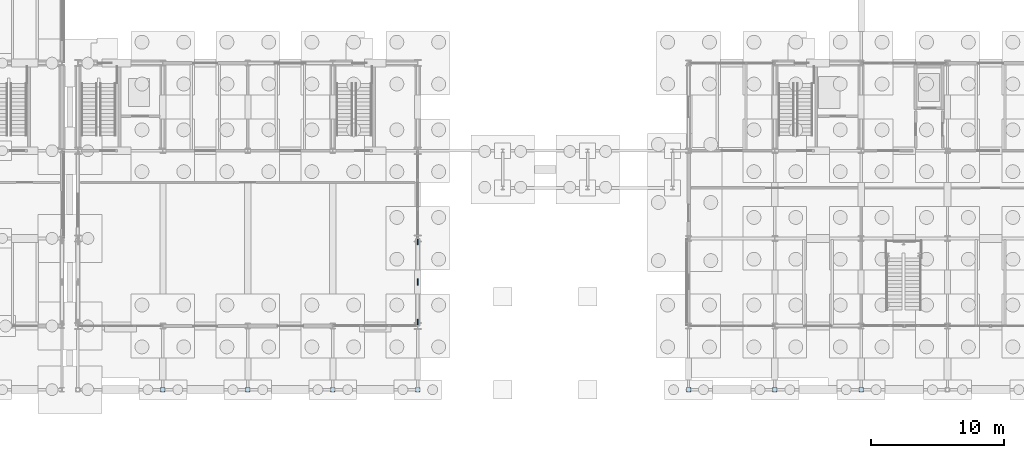
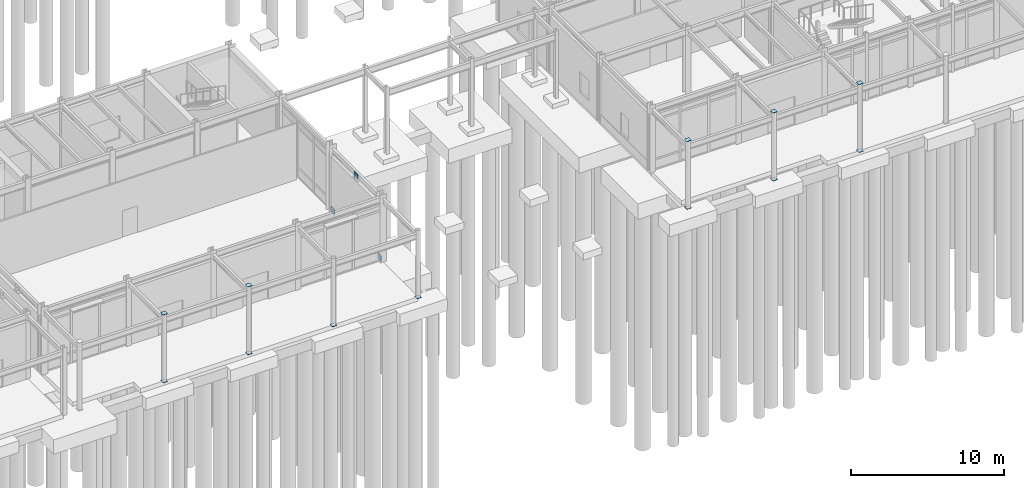
# One storey, part 58 of 82: 15 plates.
"""IFC4 building model written with IfcOpenShell, lengths in metres."""

from ifc_helpers import new_model, si_unit, direction, frame, origin, origin_2d, place, context, subcontext, project, spatial, rectangle, extrude, material, layer, layer_set, type_object, element, save


model = new_model("IFC4")

# Units and contexts
model_context = context("Model", 3, precision=1e-05, world=origin(), true_north=direction((0.0, 1.0)))
body_context = subcontext(model_context, "Body", "Model", "MODEL_VIEW")
ifc_project = project(units=[si_unit("LENGTHUNIT", "METRE"), si_unit("AREAUNIT", "SQUARE_METRE"), si_unit("VOLUMEUNIT", "CUBIC_METRE"), si_unit("PLANEANGLEUNIT", "RADIAN"), si_unit("MASSUNIT", "GRAM", prefix="KILO")], contexts=[model_context])

# Site, building, storey
site_placement = place(None, origin())
site = spatial("IfcSite", under=ifc_project, at=site_placement, CompositionType="ELEMENT")
building_placement = place(site_placement, origin())
building = spatial("IfcBuilding", under=site, at=building_placement, Name="Trelmorton Wharf Fire Station", CompositionType="ELEMENT")
storey_placement = place(building_placement, origin())
storey = spatial("IfcBuildingStorey", under=building, at=storey_placement, Name="L00", CompositionType="ELEMENT", Elevation=0.0)

# Plates
ifc_material = material(Name="Steel Grade 350", Category="steel")
ifc_layer_1 = layer(ifc_material, 0.02001953125)
ifc_layer_set_1 = layer_set([ifc_layer_1], Name="Steel Grade 350")
plate_type_1 = type_object("IfcPlateType", Name="PL_ENDCAP_20", PredefinedType="SHEET", material=ifc_layer_set_1)
for number, where, z_axis, x_axis, name in (
    (1, (64.39990234375, 3.0, -0.02197265625), (0.0, 0.0, 1.0), (1.0, 0.0, 0.0), "PL-COLCAP-B-0103"),
    (2, (64.39990234375, 3.0, 5.39794921875), (0.0, 0.0, 1.0), (1.0, 0.0, 0.0), "PL-COLCAP-T-0103"),
    (3, (70.800048828125, 3.0, -0.02197265625), (0.0, 0.0, 1.0), (1.0, 0.0, 0.0), "PL-COLCAP-B-0107"),
    (4, (70.800048828125, 3.0, 5.39794921875), (0.0, 0.0, 1.0), (1.0, 0.0, 0.0), "PL-COLCAP-T-0107"),
    (5, (77.199951171875, 3.0, -0.02197265625), (0.0, 0.0, 1.0), (1.0, 0.0, 0.0), "PL-COLCAP-B-0116"),
    (6, (83.60009765625, 3.0, -0.02197265625), (0.0, 0.0, 1.0), (1.0, 0.0, 0.0), "PL-COLCAP-B-0125"),
    (7, (104.0, 3.0, -0.02197265625), (0.0, 0.0, 1.0), (1.0, 0.0, 0.0), "PL-COLCAP-B-0146"),
    (8, (104.0, 3.0, 5.39794921875), (0.0, 0.0, 1.0), (1.0, 0.0, 0.0), "PL-COLCAP-T-0146"),
    (9, (110.5, 3.0, -0.02197265625), (0.0, 0.0, 1.0), (1.0, 0.0, 0.0), "PL-COLCAP-B-0156"),
    (10, (110.5, 3.0, 5.39794921875), (0.0, 0.0, 1.0), (1.0, 0.0, 0.0), "PL-COLCAP-T-0156"),
    (11, (117.0, 3.0, -0.02197265625), (0.0, 0.0, 1.0), (1.0, 0.0, 0.0), "PL-COLCAP-B-0166"),
    (12, (117.0, 3.0, 5.39794921875), (0.0, 0.0, 1.0), (1.0, 0.0, 0.0), "PL-COLCAP-T-0166"),
):
    element("IfcPlate", number, at=place(storey_placement, frame(where, z_axis=z_axis, x_axis=x_axis)), inside=storey, type_object=plate_type_1, Name=name, PredefinedType="SHEET", context=body_context, shape_type="SweptSolid", body=[
        extrude(rectangle(XDim=0.343994140625, YDim=0.343994140625, at=origin_2d()), origin(), (0.0, 0.0, 1.0), 0.02392578125),
    ])
ifc_layer_2 = layer(ifc_material, 0.050048828125)
ifc_layer_set_2 = layer_set([ifc_layer_2], Name="Steel Grade 350")
plate_type_2 = type_object("IfcPlateType", Name="PL_GUSSET_TN2", PredefinedType="USERDEFINED", material=ifc_layer_set_2)
for number, where, z_axis, x_axis, name in (
    (13, (83.60009765625, 8.047119140625, -0.10498046875), (0.0, 0.0, 1.0), (1.0, 0.0, 0.0), "PL-CBF-0373"),
    (14, (83.60009765625, 14.153076171875, -0.10498046875), (0.0, 0.0, 1.0), (1.0, 0.0, 0.0), "PL-CBF-0374"),
    (15, (83.60009765625, 11.10009765625, 4.55517578125), (0.0, 0.0, 1.0), (1.0, 0.0, 0.0), "PL-CBF-0375"),
):
    element("IfcPlate", number, at=place(storey_placement, frame(where, z_axis=z_axis, x_axis=x_axis)), inside=storey, type_object=plate_type_2, Name=name, ObjectType="GUSSET PLATE", PredefinedType="USERDEFINED", context=body_context, shape_type="SweptSolid", body=[
        extrude(rectangle(XDim=0.050048828125, YDim=0.5, at=origin_2d()), origin(), (0.0, 0.0, 1.0), 0.449951171875),
    ])

save(model, "model.ifc")
